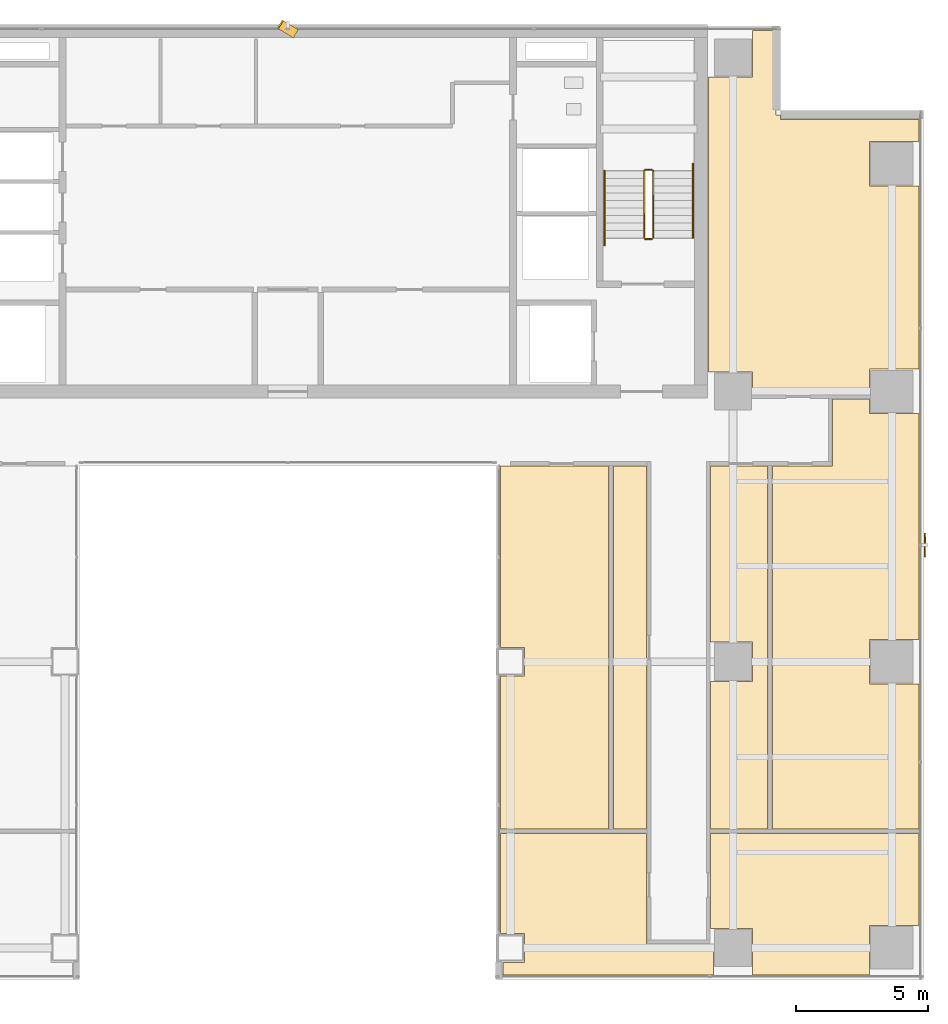
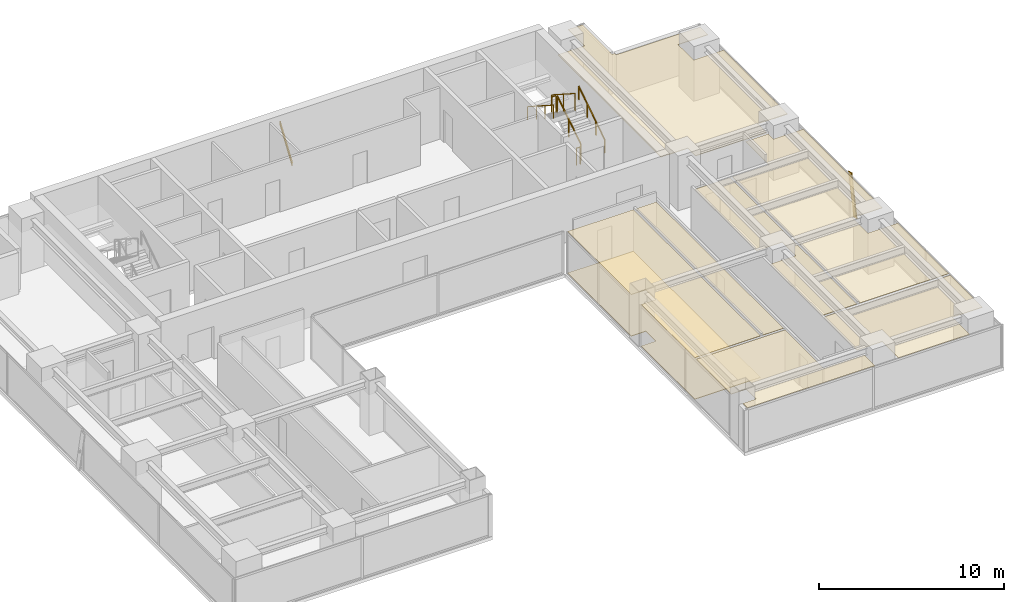
# One storey, part 28 of 29: 8 coverings, 6 railings, 2 shading devices.
"""IFC4 building model written with IfcOpenShell, lengths in metres."""

from ifc_helpers import new_model, si_unit, direction, frame, origin, origin_2d, place, context, subcontext, project, spatial, polyline, rectangle, outline, extrude, source, transform, mapped, material, layer, layer_set, material_profile, profile_set, type_object, element, save


model = new_model("IFC4")

# Units and contexts
model_context = context("Model", 3, precision=1e-05, world=origin(), true_north=direction((0.0, 1.0)))
body_context = subcontext(model_context, "Body", "Model", "MODEL_VIEW")
ifc_project = project(units=[si_unit("LENGTHUNIT", "METRE"), si_unit("AREAUNIT", "SQUARE_METRE"), si_unit("VOLUMEUNIT", "CUBIC_METRE"), si_unit("PLANEANGLEUNIT", "RADIAN"), si_unit("MASSUNIT", "GRAM", prefix="KILO")], contexts=[model_context])

# Site, building, storey
site_placement = place(None, origin())
site = spatial("IfcSite", under=ifc_project, at=site_placement, CompositionType="ELEMENT")
building_placement = place(site_placement, origin())
building = spatial("IfcBuilding", under=site, at=building_placement, Name="Sumidabori Civic Tower", CompositionType="ELEMENT")
storey_placement = place(building_placement, frame((0.0, 0.0, 203.60009765625)))
storey = spatial("IfcBuildingStorey", under=building, at=storey_placement, Name="L52", CompositionType="ELEMENT", Elevation=203.60009765625)

# Coverings
ifc_material_1 = material(Name="Acoustic Mineral Gypsum Ceiling Tile")
ifc_layer_1 = layer(ifc_material_1, 0.034912109375, Name="Acoustic Mineral Gypsum Ceiling Tile")
ifc_layer_set_1 = layer_set([ifc_layer_1], Name="Acoustic Mineral Gypsum Ceiling Tile")
covering_type_1 = type_object("IfcCoveringType", Name="CV-CEIL-AC1", PredefinedType="CEILING", material=ifc_layer_set_1)
covering_1_placement = place(storey_placement, frame((0.0, 0.0, 2.72998046875)))
element("IfcCovering", 1, at=covering_1_placement, inside=storey, type_object=covering_type_1, Name="Room Acoustic Ceiling L52-02", PredefinedType="CEILING", context=body_context, shape_type="SweptSolid", body=[
    extrude(outline(polyline([(20.554931640625, 10.10498046875), (17.5400390625, 10.10498046875), (17.5400390625, 10.93994140625), (15.8779296875, 10.93994140625), (15.8779296875, 22.06005859375), (17.5400390625, 22.06005859375), (17.5400390625, 23.830078125), (18.429931640625, 23.830078125), (18.429931640625, 20.6298828125), (18.592041015625, 20.6298828125), (18.592041015625, 20.471923828125), (23.830078125, 20.471923828125), (23.830078125, 19.639892578125), (21.9599609375, 19.639892578125), (21.9599609375, 17.9599609375), (23.830078125, 17.9599609375), (23.830078125, 11.0400390625), (21.9599609375, 11.0400390625), (21.9599609375, 10.08740234375), (20.554931640625, 10.08740234375), (20.554931640625, 10.10498046875)])), origin(), (0.0, 0.0, 1.0), 0.034912109375),
])
covering_2_placement = place(storey_placement, frame((0.0, 0.0, 2.72998046875)))
element("IfcCovering", 2, at=covering_2_placement, inside=storey, type_object=covering_type_1, Name="Room Acoustic Ceiling L52-04", PredefinedType="CEILING", context=body_context, shape_type="SweptSolid", body=[
    extrude(outline(polyline([(18.28759765625, 7.39501953125), (20.554931640625, 7.39501953125), (20.554931640625, 9.91259765625), (21.9599609375, 9.91259765625), (21.9599609375, 9.360107421875), (23.830078125, 9.360107421875), (23.830078125, 0.840087890625), (21.9599609375, 0.840087890625), (21.9599609375, -0.840087890625), (23.830078125, -0.840087890625), (23.830078125, -6.3125), (18.28759765625, -6.3125), (18.28759765625, 7.39501953125)])), origin(), (0.0, 0.0, 1.0), 0.034912109375),
])
covering_3_placement = place(storey_placement, frame((0.0, 0.0, 2.72998046875)))
element("IfcCovering", 3, at=covering_3_placement, inside=storey, type_object=covering_type_1, Name="Room Acoustic Ceiling L52-07", PredefinedType="CEILING", context=body_context, shape_type="SweptSolid", body=[
    extrude(outline(polyline([(8.02001953125, -6.3125), (8.02001953125, -0.5400390625), (8.93994140625, -0.5400390625), (8.93994140625, 0.5400390625), (8.02001953125, 0.5400390625), (8.02001953125, 7.39501953125), (12.112548828125, 7.39501953125), (12.112548828125, -6.3125), (8.02001953125, -6.3125)])), origin(), (0.0, 0.0, 1.0), 0.034912109375),
])
covering_4_placement = place(storey_placement, frame((0.0, 0.0, 2.72998046875)))
element("IfcCovering", 4, at=covering_4_placement, inside=storey, type_object=covering_type_1, Name="Room Acoustic Ceiling L52-08", PredefinedType="CEILING", context=body_context, shape_type="SweptSolid", body=[
    extrude(outline(polyline([(15.955078125, -0.739990234375), (17.5400390625, -0.739990234375), (17.5400390625, 0.739990234375), (15.955078125, 0.739990234375), (15.955078125, 7.39501953125), (18.112548828125, 7.39501953125), (18.112548828125, -6.3125), (15.955078125, -6.3125), (15.955078125, -0.739990234375)])), origin(), (0.0, 0.0, 1.0), 0.034912109375),
])
covering_5_placement = place(storey_placement, frame((0.0, 0.0, 2.72998046875)))
element("IfcCovering", 5, at=covering_5_placement, inside=storey, type_object=covering_type_1, Name="Room Acoustic Ceiling L52-10", PredefinedType="CEILING", context=body_context, shape_type="SweptSolid", body=[
    extrude(outline(polyline([(12.28759765625, -6.3125), (12.28759765625, 7.39501953125), (13.544921875, 7.39501953125), (13.544921875, -6.3125), (12.28759765625, -6.3125)])), origin(), (0.0, 0.0, 1.0), 0.034912109375),
])
covering_6_placement = place(storey_placement, frame((0.0, 0.0, 2.72998046875)))
element("IfcCovering", 6, at=covering_6_placement, inside=storey, type_object=covering_type_1, Name="Room Acoustic Ceiling L52-12", PredefinedType="CEILING", context=body_context, shape_type="SweptSolid", body=[
    extrude(outline(polyline([(17.5400390625, -10.06005859375), (15.955078125, -10.06005859375), (15.955078125, -6.487548828125), (23.830078125, -6.487548828125), (23.830078125, -9.9599609375), (21.9599609375, -9.9599609375), (21.9599609375, -11.830078125), (17.5400390625, -11.830078125), (17.5400390625, -10.06005859375)])), origin(), (0.0, 0.0, 1.0), 0.034912109375),
])
covering_7_placement = place(storey_placement, frame((0.0, 0.0, 2.72998046875)))
element("IfcCovering", 7, at=covering_7_placement, inside=storey, type_object=covering_type_1, Name="Room Acoustic Ceiling L52-14", PredefinedType="CEILING", context=body_context, shape_type="SweptSolid", body=[
    extrude(outline(polyline([(8.93994140625, -11.340087890625), (8.93994140625, -10.260009765625), (8.02001953125, -10.260009765625), (8.02001953125, -6.487548828125), (13.544921875, -6.487548828125), (13.544921875, -10.655029296875), (16.06005859375, -10.655029296875), (16.06005859375, -11.830078125), (8.117919921875, -11.830078125), (8.117919921875, -11.340087890625), (8.93994140625, -11.340087890625)])), origin(), (0.0, 0.0, 1.0), 0.034912109375),
])
ifc_material_2 = material(Name="Honed Terrazzo Tile Flooring")
ifc_layer_2 = layer(ifc_material_2, 0.030029296875, Name="Honed Terrazzo Tile Flooring")
ifc_layer_set_2 = layer_set([ifc_layer_2], Name="Honed Terrazzo Tile Flooring")
covering_type_2 = type_object("IfcCoveringType", Name="CV-FLR-TER", PredefinedType="FLOORING", material=ifc_layer_set_2)
covering_8_placement = place(storey_placement, origin())
element("IfcCovering", 8, at=covering_8_placement, inside=storey, type_object=covering_type_2, Name="Room Terrazzo Floor L52-07", PredefinedType="FLOORING", context=body_context, shape_type="SweptSolid", body=[
    extrude(outline(polyline([(8.02001953125, -6.3125), (8.02001953125, -0.5400390625), (8.93994140625, -0.5400390625), (8.93994140625, 0.5400390625), (8.02001953125, 0.5400390625), (8.02001953125, 7.39501953125), (12.112548828125, 7.39501953125), (12.112548828125, -6.3125), (8.02001953125, -6.3125)])), origin(), (0.0, 0.0, 1.0), 0.02978515625),
])

# Railings
ifc_material_3 = material(Name="Stainless Steel Hairline Finish", Category="steel")
railing_type_1 = type_object("IfcRailingType", Name="RL-HANDRAIL", PredefinedType="HANDRAIL", material=ifc_material_3)
railing_1_placement = place(storey_placement, frame((15.2900390625, 16.0, 0.179931640625)))
element("IfcRailing", 9, at=railing_1_placement, inside=storey, type_object=railing_type_1, Name="L52 ST-2 stair handrail 1", PredefinedType="HANDRAIL", context=body_context, shape_type="SweptSolid", body=[
    extrude(rectangle(XDim=0.048095703125, YDim=0.048095703125, at=origin_2d()), frame((0.0, 0.0, 0.8759765625), z_axis=(0.0, 0.840675598268, 0.541539046124), x_axis=(-1.0, 0.0, 0.0)), (0.0, 0.0, 1.0), 3.330810546875),
    extrude(rectangle(XDim=0.0419921875, YDim=0.0419921875, at=origin_2d()), origin(), (0.0, 0.0, 1.0), 0.851806640625),
    extrude(rectangle(XDim=0.0419921875, YDim=0.0419921875, at=origin_2d()), frame((0.0, 0.933349609375, 0.601318359375)), (0.0, 0.0, 1.0), 0.851806640625),
    extrude(rectangle(XDim=0.0419921875, YDim=0.0419921875, at=origin_2d()), frame((0.0, 1.86669921875, 1.202392578125)), (0.0, 0.0, 1.0), 0.851806640625),
    extrude(rectangle(XDim=0.0419921875, YDim=0.0419921875, at=origin_2d()), frame((0.0, 2.800048828125, 1.8037109375)), (0.0, 0.0, 1.0), 0.851806640625),
])
railing_2_placement = place(storey_placement, frame((11.949951171875, 18.52001953125, 1.97998046875)))
element("IfcRailing", 10, at=railing_2_placement, inside=storey, type_object=railing_type_1, Name="L52 ST-2 stair handrail 2", PredefinedType="HANDRAIL", context=body_context, shape_type="SweptSolid", body=[
    extrude(rectangle(XDim=0.048095703125, YDim=0.048095703125, at=origin_2d()), frame((0.0, 0.0, 0.8759765625), z_axis=(0.0, -0.840675598268, 0.541539046124), x_axis=(1.0, 0.0, 0.0)), (0.0, 0.0, 1.0), 3.330810546875),
    extrude(rectangle(XDim=0.0419921875, YDim=0.0419921875, at=origin_2d()), origin(), (0.0, 0.0, 1.0), 0.851806640625),
    extrude(rectangle(XDim=0.0419921875, YDim=0.0419921875, at=origin_2d()), frame((0.0, -0.933349609375, 0.601318359375)), (0.0, 0.0, 1.0), 0.851806640625),
    extrude(rectangle(XDim=0.0419921875, YDim=0.0419921875, at=origin_2d()), frame((0.0, -1.86669921875, 1.202392578125)), (0.0, 0.0, 1.0), 0.851806640625),
    extrude(rectangle(XDim=0.0419921875, YDim=0.0419921875, at=origin_2d()), frame((0.0, -2.800048828125, 1.8037109375)), (0.0, 0.0, 1.0), 0.851806640625),
])
ifc_material_4 = material(Name="Steel SN490", Category="steel")
railing_type_2 = type_object("IfcRailingType", Name="RL-STAIR-GUARD", PredefinedType="GUARDRAIL", material=ifc_material_4)
railing_3_placement = place(storey_placement, frame((13.7900390625, 16.0, 0.179931640625)))
element("IfcRailing", 11, at=railing_3_placement, inside=storey, type_object=railing_type_2, Name="L52 ST-2 stair guard 1", PredefinedType="GUARDRAIL", context=body_context, shape_type="SweptSolid", body=[
    extrude(rectangle(XDim=0.048095703125, YDim=0.048095703125, at=origin_2d()), frame((0.0, 0.0, 1.1259765625), z_axis=(0.0, 0.841199657755, 0.540724639528), x_axis=(-1.0, 0.0, 0.0)), (0.0, 0.0, 1.0), 2.995849609375),
    extrude(rectangle(XDim=0.0419921875, YDim=0.0419921875, at=origin_2d()), origin(), (0.0, 0.0, 1.0), 1.101806640625),
    extrude(rectangle(XDim=0.0419921875, YDim=0.0419921875, at=origin_2d()), frame((0.0, 1.260009765625, 0.81005859375)), (0.0, 0.0, 1.0), 1.101806640625),
    extrude(rectangle(XDim=0.0419921875, YDim=0.0419921875, at=origin_2d()), frame((0.0, 2.52001953125, 1.619873046875)), (0.0, 0.0, 1.0), 1.101806640625),
])
railing_4_placement = place(storey_placement, frame((13.739990234375, 18.570068359375, 1.7998046875)))
element("IfcRailing", 12, at=railing_4_placement, inside=storey, type_object=railing_type_2, Name="L52 ST-2 stair guard 2", PredefinedType="GUARDRAIL", context=body_context, shape_type="SweptSolid", body=[
    extrude(rectangle(XDim=0.048095703125, YDim=0.048095703125, at=origin_2d()), frame((0.0, 0.0, 1.1259765625), z_axis=(-1.0, 0.0, 0.0), x_axis=(0.0, -1.0, 0.0)), (0.0, 0.0, 1.0), 0.239990234375),
    extrude(rectangle(XDim=0.0419921875, YDim=0.0419921875, at=origin_2d()), origin(), (0.0, 0.0, 1.0), 1.101806640625),
    extrude(rectangle(XDim=0.0419921875, YDim=0.0419921875, at=origin_2d()), frame((-0.239990234375, 0.0, 0.0)), (0.0, 0.0, 1.0), 1.101806640625),
])
railing_5_placement = place(storey_placement, frame((13.449951171875, 18.52001953125, 1.97998046875)))
element("IfcRailing", 13, at=railing_5_placement, inside=storey, type_object=railing_type_2, Name="L52 ST-2 stair guard 3", PredefinedType="GUARDRAIL", context=body_context, shape_type="SweptSolid", body=[
    extrude(rectangle(XDim=0.048095703125, YDim=0.048095703125, at=origin_2d()), frame((0.0, 0.0, 1.1259765625), z_axis=(0.0, -0.841199657755, 0.540724639528), x_axis=(1.0, 0.0, 0.0)), (0.0, 0.0, 1.0), 2.995849609375),
    extrude(rectangle(XDim=0.0419921875, YDim=0.0419921875, at=origin_2d()), origin(), (0.0, 0.0, 1.0), 1.101806640625),
    extrude(rectangle(XDim=0.0419921875, YDim=0.0419921875, at=origin_2d()), frame((0.0, -1.260009765625, 0.81005859375)), (0.0, 0.0, 1.0), 1.101806640625),
    extrude(rectangle(XDim=0.0419921875, YDim=0.0419921875, at=origin_2d()), frame((0.0, -2.52001953125, 1.619873046875)), (0.0, 0.0, 1.0), 1.101806640625),
])
railing_6_placement = place(storey_placement, frame((13.739990234375, 15.949951171875, 0.0)))
element("IfcRailing", 14, at=railing_6_placement, inside=storey, type_object=railing_type_2, Name="L52 ST-2 stair guard 4", PredefinedType="GUARDRAIL", context=body_context, shape_type="SweptSolid", body=[
    extrude(rectangle(XDim=0.048095703125, YDim=0.048095703125, at=origin_2d()), frame((0.0, 0.0, 1.1259765625), z_axis=(-1.0, 0.0, 0.0), x_axis=(0.0, -1.0, 0.0)), (0.0, 0.0, 1.0), 0.239990234375),
    extrude(rectangle(XDim=0.0419921875, YDim=0.0419921875, at=origin_2d()), origin(), (0.0, 0.0, 1.0), 1.101806640625),
    extrude(rectangle(XDim=0.0419921875, YDim=0.0419921875, at=origin_2d()), frame((-0.239990234375, 0.0, 0.0)), (0.0, 0.0, 1.0), 1.101806640625),
])

# Shading devices
ifc_material_5 = material(Name="Anodised Bronze Aluminium AW-6063-T6", Category="aluminium")
ifc_material_profile = material_profile(ifc_material_5, rectangle(XDim=0.054931640625, YDim=0.360107421875, at=origin_2d()), Name="BRONZE FIN 360x55")
ifc_profile_set = profile_set([ifc_material_profile], Name="Anodised Bronze Aluminium AW-6063-T6")
shading_device_type = type_object("IfcShadingDeviceType", Name="SH-FIN-360", PredefinedType="USERDEFINED", material=ifc_profile_set)
shared_shape_1 = source(origin(), body_context, "Body", "SweptSolid", [
    extrude(rectangle(XDim=0.054931640625, YDim=0.360107421875, at=origin_2d()), origin(), (0.0, 0.0, 1.0), 2.7783203125),
])
shading_device_1_placement = place(storey_placement, frame((0.280029296875, 23.7099609375, 0.02001953125), z_axis=(-0.201581748781, 0.122407748933, 0.971792746196), x_axis=(0.830641884105, -0.504395878186, 0.235836507862)))
element("IfcShadingDevice", 15, at=shading_device_1_placement, inside=storey, type_object=shading_device_type, Name="Bronze Anodised Diagonal Fin L52-02", ObjectType="FIN", PredefinedType="USERDEFINED", context=body_context, shape_type="MappedRepresentation", body=[
    mapped(shared_shape_1, transform((0.0, 0.0, 0.0), x_axis=(1.0, 0.0, 0.0), y_axis=(0.0, 1.0, 0.0), z_axis=(0.0, 0.0, 1.0), scale=1.0)),
])
shared_shape_2 = source(origin(), body_context, "Body", "SweptSolid", [
    extrude(rectangle(XDim=0.054931640625, YDim=0.360107421875, at=origin_2d()), origin(), (0.0, 0.0, 1.0), 2.75732421875),
])
shading_device_2_placement = place(storey_placement, frame((24.050048828125, 4.1201171875, 0.02001953125), z_axis=(0.0, 0.20302426177, 0.979173707333), x_axis=(-1.0, 0.0, 0.0)))
element("IfcShadingDevice", 16, at=shading_device_2_placement, inside=storey, type_object=shading_device_type, Name="Bronze Anodised Diagonal Fin L52-02", ObjectType="FIN", PredefinedType="USERDEFINED", context=body_context, shape_type="MappedRepresentation", body=[
    mapped(shared_shape_2, transform((0.0, 0.0, 0.0), x_axis=(1.0, 0.0, 0.0), y_axis=(0.0, 1.0, 0.0), z_axis=(0.0, 0.0, 1.0), scale=1.0)),
])

save(model, "model.ifc")
